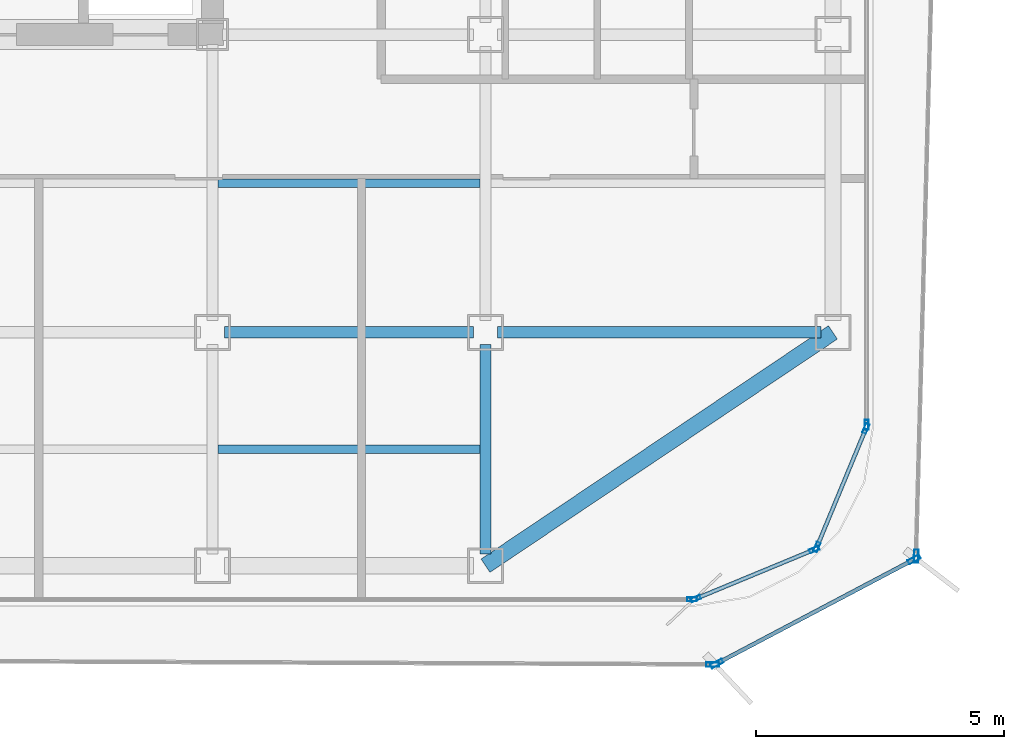
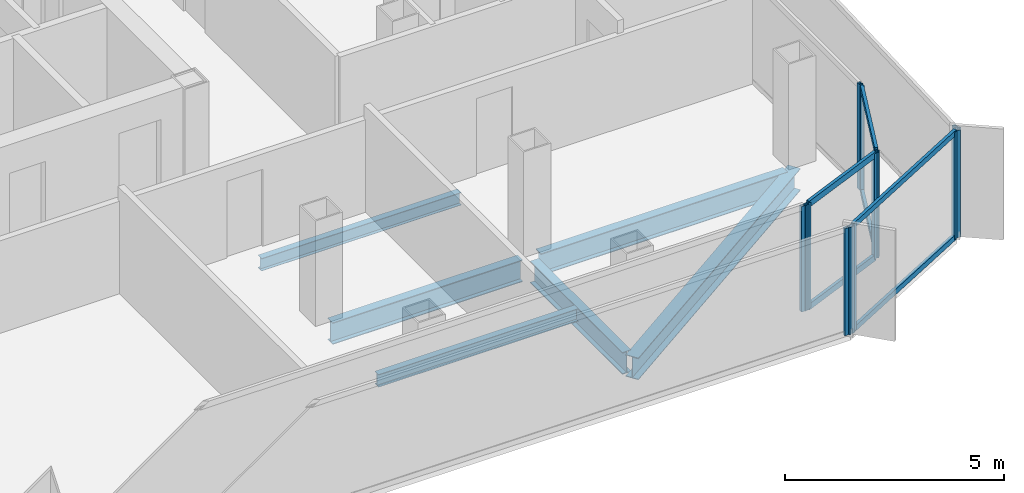
# One storey, part 4 of 15: 16 members, 6 beams, 7 elements without a shape of their own.
"""IFC4 building model written with IfcOpenShell, lengths in metres."""

from ifc_helpers import new_model, si_unit, direction, frame, origin, origin_2d, place, context, subcontext, project, spatial, hollow_rectangle, i_section, extrude, source, transform, mapped, material, layer, layer_set, material_profile, profile_set, type_object, element, aggregate, save


model = new_model("IFC4")

# Units and contexts
model_context = context("Model", 3, precision=1e-05, world=origin(), true_north=direction((0.0, 1.0)))
body_context = subcontext(model_context, "Body", "Model", "MODEL_VIEW")
ifc_project = project(units=[si_unit("LENGTHUNIT", "METRE"), si_unit("AREAUNIT", "SQUARE_METRE"), si_unit("VOLUMEUNIT", "CUBIC_METRE"), si_unit("PLANEANGLEUNIT", "RADIAN"), si_unit("MASSUNIT", "GRAM", prefix="KILO")], contexts=[model_context])

# Site, building, storey
site_placement = place(None, origin())
site = spatial("IfcSite", under=ifc_project, at=site_placement, CompositionType="ELEMENT")
building_placement = place(site_placement, origin())
building = spatial("IfcBuilding", under=site, at=building_placement, Name="Kolveth Station Tower", CompositionType="ELEMENT")
storey_placement = place(building_placement, frame((0.0, 0.0, 193.199951171875)))
storey = spatial("IfcBuildingStorey", under=building, at=storey_placement, Name="L54", CompositionType="ELEMENT", Elevation=193.199951171875)

# Beams
ifc_material_1 = material(Name="Steel S355", Category="steel")
ifc_material_profile_1 = material_profile(ifc_material_1, i_section(OverallWidth=0.323974609375, OverallDepth=0.611083984375, WebThickness=0.0126953125, FlangeThickness=0.01904296875, at=origin_2d()), Name="W610x155")
ifc_profile_set_1 = profile_set([ifc_material_profile_1], Name="Steel S355")
beam_type_1 = type_object("IfcBeamType", Name="Beam_SP2", PredefinedType="SPANDREL", material=ifc_profile_set_1)
shared_shape_1 = source(origin(), body_context, "Body", "SweptSolid", [
    extrude(i_section(OverallWidth=0.323974609375, OverallDepth=0.611083984375, WebThickness=0.0126953125, FlangeThickness=0.01904296875, at=origin_2d()), origin(), (0.0, 0.0, 1.0), 8.431396484375),
])
beam_1_placement = place(storey_placement, frame((34.0, 0.800048828125, -0.555419921875), z_axis=(0.830223811004, 0.557430196206, 0.0), x_axis=(-0.557430196206, 0.830223811004, 0.0)))
element("IfcBeam", 1, at=beam_1_placement, inside=storey, type_object=beam_type_1, Name="L54 Corner Edge Girder BM-L54-CNR-SE", PredefinedType="SPANDREL", context=body_context, shape_type="MappedRepresentation", body=[
    mapped(shared_shape_1, transform((0.0, 0.0, 0.0), x_axis=(1.0, 0.0, 0.0), y_axis=(0.0, 1.0, 0.0), z_axis=(0.0, 0.0, 1.0), scale=1.0)),
])
ifc_material_profile_2 = material_profile(ifc_material_1, i_section(OverallWidth=0.22900390625, OverallDepth=0.612060546875, WebThickness=0.011962890625, FlangeThickness=0.01953125, at=origin_2d()), Name="W610x125")
ifc_profile_set_2 = profile_set([ifc_material_profile_2], Name="Steel S355")
beam_type_2 = type_object("IfcBeamType", Name="Beam_B5", PredefinedType="BEAM", material=ifc_profile_set_2)
shared_shape_2 = source(origin(), body_context, "Body", "SweptSolid", [
    extrude(i_section(OverallWidth=0.22900390625, OverallDepth=0.612060546875, WebThickness=0.011962890625, FlangeThickness=0.01953125, at=origin_2d()), origin(), (0.0, 0.0, 1.0), 6.52001953125),
])
beam_2_placement = place(storey_placement, frame((34.239990234375, 5.5, -0.555908203125), z_axis=(1.0, 0.0, 0.0), x_axis=(0.0, 1.0, 0.0)))
element("IfcBeam", 2, at=beam_2_placement, inside=storey, type_object=beam_type_2, Name="L54 Primary Girder BM-L54-GY55-6", PredefinedType="BEAM", context=body_context, shape_type="MappedRepresentation", body=[
    mapped(shared_shape_2, transform((0.0, 0.0, 0.0), x_axis=(1.0, 0.0, 0.0), y_axis=(0.0, 1.0, 0.0), z_axis=(0.0, 0.0, 1.0), scale=1.0)),
])
shared_shape_3 = source(origin(), body_context, "Body", "SweptSolid", [
    extrude(i_section(OverallWidth=0.22900390625, OverallDepth=0.612060546875, WebThickness=0.011962890625, FlangeThickness=0.01953125, at=origin_2d()), origin(), (0.0, 0.0, 1.0), 5.02001953125),
])
beam_3_placement = place(storey_placement, frame((28.739990234375, 5.5, -0.555908203125), z_axis=(1.0, 0.0, 0.0), x_axis=(0.0, 1.0, 0.0)))
element("IfcBeam", 3, at=beam_3_placement, inside=storey, type_object=beam_type_2, Name="L54 Primary Girder BM-L54-GY55-5", PredefinedType="BEAM", context=body_context, shape_type="MappedRepresentation", body=[
    mapped(shared_shape_3, transform((0.0, 0.0, 0.0), x_axis=(1.0, 0.0, 0.0), y_axis=(0.0, 1.0, 0.0), z_axis=(0.0, 0.0, 1.0), scale=1.0)),
])
shared_shape_4 = source(origin(), body_context, "Body", "SweptSolid", [
    extrude(i_section(OverallWidth=0.22900390625, OverallDepth=0.612060546875, WebThickness=0.011962890625, FlangeThickness=0.01953125, at=origin_2d()), origin(), (0.0, 0.0, 1.0), 4.219970703125),
])
beam_4_placement = place(storey_placement, frame((34.0, 1.0400390625, -0.555908203125), z_axis=(0.0, 1.0, 0.0), x_axis=(-1.0, 0.0, 0.0)))
element("IfcBeam", 4, at=beam_4_placement, inside=storey, type_object=beam_type_2, Name="L54 Primary Girder BM-L54-GX340-1", PredefinedType="BEAM", context=body_context, shape_type="MappedRepresentation", body=[
    mapped(shared_shape_4, transform((0.0, 0.0, 0.0), x_axis=(1.0, 0.0, 0.0), y_axis=(0.0, 1.0, 0.0), z_axis=(0.0, 0.0, 1.0), scale=1.0)),
])
ifc_material_profile_3 = material_profile(ifc_material_1, i_section(OverallWidth=0.1708984375, OverallDepth=0.35205078125, WebThickness=0.0068359375, FlangeThickness=0.009765625, at=origin_2d()), Name="W360x44")
ifc_profile_set_3 = profile_set([ifc_material_profile_3], Name="Steel S355")
beam_type_3 = type_object("IfcBeamType", Name="Beam_J2", PredefinedType="JOIST", material=ifc_profile_set_3)
shared_shape_5 = source(origin(), body_context, "Body", "SweptSolid", [
    extrude(i_section(OverallWidth=0.1708984375, OverallDepth=0.35205078125, WebThickness=0.0068359375, FlangeThickness=0.009765625, at=origin_2d()), origin(), (0.0, 0.0, 1.0), 5.27490234375),
])
for number, where, z_axis, x_axis, name in (
    (5, (28.612548828125, 3.14990234375, -0.426025390625), (1.0, 0.0, 0.0), (0.0, 1.0, 0.0), "L54 Secondary Joist JST-L54-5-1"),
    (6, (28.612548828125, 8.5, -0.426025390625), (1.0, 0.0, 0.0), (0.0, 1.0, 0.0), "L54 Secondary Joist JST-L54-5-2"),
):
    element("IfcBeam", number, at=place(storey_placement, frame(where, z_axis=z_axis, x_axis=x_axis)), inside=storey, type_object=beam_type_3, Name=name, PredefinedType="JOIST", context=body_context, shape_type="MappedRepresentation", body=[
        mapped(shared_shape_5, transform((0.0, 0.0, 0.0), x_axis=(1.0, 0.0, 0.0), y_axis=(0.0, 1.0, 0.0), z_axis=(0.0, 0.0, 1.0), scale=1.0)),
    ])

# Curtain wall, members
ifc_material_2 = material(Name="Aluminium 6063-T6 and low-E dark glass", Category="aluminium")
ifc_layer_1 = layer(ifc_material_2, 0.18994140625)
ifc_layer_set_1 = layer_set([ifc_layer_1], Name="Aluminium 6063-T6 and low-E dark glass")
curtain_wall_type_1 = type_object("IfcCurtainWallType", Name="CurtainWall_CW-Z2", PredefinedType="NOTDEFINED", material=ifc_layer_set_1)
curtain_wall_1_placement = place(storey_placement, origin())
curtain_wall_1 = element("IfcCurtainWall", 7, at=curtain_wall_1_placement, inside=storey, type_object=curtain_wall_type_1, Name="L54 Inner Thermal Curtain Wall 1", PredefinedType="NOTDEFINED")
ifc_material_3 = material(Name="Black anodized aluminium 6063-T6", Category="aluminium")
ifc_material_profile_4 = material_profile(ifc_material_3, hollow_rectangle(XDim=0.080078125, YDim=0.199951171875, WallThickness=0.0048828125, at=origin_2d()), Name="ALU-80x200x5")
ifc_profile_set_4 = profile_set([ifc_material_profile_4], Name="Black anodized aluminium 6063-T6")
member_type_1 = type_object("IfcMemberType", Name="Mullion_ML2", PredefinedType="MULLION", material=ifc_profile_set_4)
shared_shape_6 = source(origin(), body_context, "Body", "SweptSolid", [
    extrude(hollow_rectangle(XDim=0.080078125, YDim=0.199951171875, WallThickness=0.0048828125, at=origin_2d()), origin(), (0.0, 0.0, 1.0), 2.949951171875),
])
member_1_placement = place(storey_placement, frame((38.237060546875, 0.13525390625, 0.0), z_axis=(0.0, 0.0, 1.0), x_axis=(-0.382697753087, 0.923873600544, 0.0)))
member_1 = element("IfcMember", 8, at=member_1_placement, type_object=member_type_1, Name="CW-Z2 mullion 1", PredefinedType="MULLION", context=body_context, shape_type="MappedRepresentation", body=[
    mapped(shared_shape_6, transform((0.0, 0.0, 0.0), x_axis=(1.0, 0.0, 0.0), y_axis=(0.0, 1.0, 0.0), z_axis=(0.0, 0.0, 1.0), scale=1.0)),
])
member_2_placement = place(storey_placement, frame((40.623779296875, 1.1240234375, 0.0), z_axis=(0.0, 0.0, 1.0), x_axis=(-0.382697753087, 0.923873600544, 0.0)))
member_2 = element("IfcMember", 9, at=member_2_placement, type_object=member_type_1, Name="CW-Z2 mullion 2", PredefinedType="MULLION", context=body_context, shape_type="MappedRepresentation", body=[
    mapped(shared_shape_6, transform((0.0, 0.0, 0.0), x_axis=(1.0, 0.0, 0.0), y_axis=(0.0, 1.0, 0.0), z_axis=(0.0, 0.0, 1.0), scale=1.0)),
])

curtain_wall_2_placement = place(storey_placement, origin())
curtain_wall_2 = element("IfcCurtainWall", 10, at=curtain_wall_2_placement, inside=storey, type_object=curtain_wall_type_1, Name="L54 Inner Thermal Curtain Wall 2", PredefinedType="NOTDEFINED")
member_3_placement = place(storey_placement, frame((40.676025390625, 1.17626953125, 0.0), z_axis=(0.0, 0.0, 1.0), x_axis=(-0.923873600544, 0.382697753087, 0.0)))
member_3 = element("IfcMember", 11, at=member_3_placement, type_object=member_type_1, Name="CW-Z2 mullion 1", PredefinedType="MULLION", context=body_context, shape_type="MappedRepresentation", body=[
    mapped(shared_shape_6, transform((0.0, 0.0, 0.0), x_axis=(1.0, 0.0, 0.0), y_axis=(0.0, 1.0, 0.0), z_axis=(0.0, 0.0, 1.0), scale=1.0)),
])
member_4_placement = place(storey_placement, frame((41.664794921875, 3.56298828125, 0.0), z_axis=(0.0, 0.0, 1.0), x_axis=(-0.923873600544, 0.382697753087, 0.0)))
member_4 = element("IfcMember", 12, at=member_4_placement, type_object=member_type_1, Name="CW-Z2 mullion 2", PredefinedType="MULLION", context=body_context, shape_type="MappedRepresentation", body=[
    mapped(shared_shape_6, transform((0.0, 0.0, 0.0), x_axis=(1.0, 0.0, 0.0), y_axis=(0.0, 1.0, 0.0), z_axis=(0.0, 0.0, 1.0), scale=1.0)),
])

# Curtain wall, member
curtain_wall_3_placement = place(storey_placement, origin())
curtain_wall_3 = element("IfcCurtainWall", 13, at=curtain_wall_3_placement, inside=storey, type_object=curtain_wall_type_1, Name="L54 Inner Thermal Curtain Wall 3", PredefinedType="NOTDEFINED")
member_5_placement = place(storey_placement, frame((41.679931640625, 3.639892578125, 0.0), z_axis=(0.0, 0.0, 1.0), x_axis=(-1.0, 0.0, 0.0)))
member_5 = element("IfcMember", 14, at=member_5_placement, type_object=member_type_1, Name="CW-Z2 mullion 1", PredefinedType="MULLION", context=body_context, shape_type="MappedRepresentation", body=[
    mapped(shared_shape_6, transform((0.0, 0.0, 0.0), x_axis=(1.0, 0.0, 0.0), y_axis=(0.0, 1.0, 0.0), z_axis=(0.0, 0.0, 1.0), scale=1.0)),
])
aggregate(curtain_wall_3, [member_5])

curtain_wall_4_placement = place(storey_placement, origin())
curtain_wall_4 = element("IfcCurtainWall", 15, at=curtain_wall_4_placement, inside=storey, type_object=curtain_wall_type_1, Name="L54 Inner Thermal Curtain Wall 12", PredefinedType="NOTDEFINED")
member_6_placement = place(storey_placement, frame((38.159912109375, 0.1201171875, 0.0), z_axis=(0.0, 0.0, 1.0), x_axis=(0.0, 1.0, 0.0)))
member_6 = element("IfcMember", 16, at=member_6_placement, type_object=member_type_1, Name="CW-Z2 mullion 2", PredefinedType="MULLION", context=body_context, shape_type="MappedRepresentation", body=[
    mapped(shared_shape_6, transform((0.0, 0.0, 0.0), x_axis=(1.0, 0.0, 0.0), y_axis=(0.0, 1.0, 0.0), z_axis=(0.0, 0.0, 1.0), scale=1.0)),
])
aggregate(curtain_wall_4, [member_6])

# Curtain wall, members
ifc_material_4 = material(Name="Black anodized aluminium 6063-T6 and dark solar glass", Category="aluminium")
ifc_layer_2 = layer(ifc_material_4, 0.159912109375)
ifc_layer_set_2 = layer_set([ifc_layer_2], Name="Black anodized aluminium 6063-T6 and dark solar glass")
curtain_wall_type_2 = type_object("IfcCurtainWallType", Name="OUTER SKIN CW-OS", PredefinedType="NOTDEFINED", material=ifc_layer_set_2)
curtain_wall_5_placement = place(storey_placement, origin())
curtain_wall_5 = element("IfcCurtainWall", 17, at=curtain_wall_5_placement, inside=storey, type_object=curtain_wall_type_2, Name="L54 Outer Ventilated Skin Curtain Wall 1", PredefinedType="NOTDEFINED")
ifc_material_profile_5 = material_profile(ifc_material_3, hollow_rectangle(XDim=0.090087890625, YDim=0.260009765625, WallThickness=0.0048828125, at=origin_2d()), Name="ALU-90x260x5")
ifc_profile_set_5 = profile_set([ifc_material_profile_5], Name="Black anodized aluminium 6063-T6")
member_type_2 = type_object("IfcMemberType", Name="FIN MULLION ML-OS", PredefinedType="MULLION", material=ifc_profile_set_5)
shared_shape_7 = source(origin(), body_context, "Body", "SweptSolid", [
    extrude(hollow_rectangle(XDim=0.090087890625, YDim=0.260009765625, WallThickness=0.0048828125, at=origin_2d()), origin(), (0.0, 0.0, 1.0), 2.989990234375),
])
member_7_placement = place(storey_placement, frame((38.661865234375, -1.170166015625, 0.0), z_axis=(0.0, 0.0, 1.0), x_axis=(-0.466793696347, 0.884366239208, 0.0)))
member_7 = element("IfcMember", 18, at=member_7_placement, type_object=member_type_2, Name="CW-OS mullion 1", PredefinedType="MULLION", context=body_context, shape_type="MappedRepresentation", body=[
    mapped(shared_shape_7, transform((0.0, 0.0, 0.0), x_axis=(1.0, 0.0, 0.0), y_axis=(0.0, 1.0, 0.0), z_axis=(0.0, 0.0, 1.0), scale=1.0)),
])
member_8_placement = place(storey_placement, frame((42.635498046875, 0.927490234375, 0.0), z_axis=(0.0, 0.0, 1.0), x_axis=(-0.466793696347, 0.884366239208, 0.0)))
member_8 = element("IfcMember", 19, at=member_8_placement, type_object=member_type_2, Name="CW-OS mullion 2", PredefinedType="MULLION", context=body_context, shape_type="MappedRepresentation", body=[
    mapped(shared_shape_7, transform((0.0, 0.0, 0.0), x_axis=(1.0, 0.0, 0.0), y_axis=(0.0, 1.0, 0.0), z_axis=(0.0, 0.0, 1.0), scale=1.0)),
])

# Curtain wall, member
curtain_wall_6_placement = place(storey_placement, origin())
curtain_wall_6 = element("IfcCurtainWall", 20, at=curtain_wall_6_placement, inside=storey, type_object=curtain_wall_type_2, Name="L54 Outer Ventilated Skin Curtain Wall 2", PredefinedType="NOTDEFINED")
member_9_placement = place(storey_placement, frame((42.676513671875, 0.993408203125, 0.0), z_axis=(0.0, 0.0, 1.0), x_axis=(-0.999636903234, 0.026945531966, 0.0)))
member_9 = element("IfcMember", 21, at=member_9_placement, type_object=member_type_2, Name="CW-OS mullion 1", PredefinedType="MULLION", context=body_context, shape_type="MappedRepresentation", body=[
    mapped(shared_shape_7, transform((0.0, 0.0, 0.0), x_axis=(1.0, 0.0, 0.0), y_axis=(0.0, 1.0, 0.0), z_axis=(0.0, 0.0, 1.0), scale=1.0)),
])
aggregate(curtain_wall_6, [member_9])

curtain_wall_7_placement = place(storey_placement, origin())
curtain_wall_7 = element("IfcCurtainWall", 22, at=curtain_wall_7_placement, inside=storey, type_object=curtain_wall_type_2, Name="L54 Outer Ventilated Skin Curtain Wall 8", PredefinedType="NOTDEFINED")
member_10_placement = place(storey_placement, frame((38.576904296875, -1.19091796875, 0.0), z_axis=(0.0, 0.0, 1.0), x_axis=(0.004304120821, 0.999990737229, 0.0)))
member_10 = element("IfcMember", 23, at=member_10_placement, type_object=member_type_2, Name="CW-OS mullion 2", PredefinedType="MULLION", context=body_context, shape_type="MappedRepresentation", body=[
    mapped(shared_shape_7, transform((0.0, 0.0, 0.0), x_axis=(1.0, 0.0, 0.0), y_axis=(0.0, 1.0, 0.0), z_axis=(0.0, 0.0, 1.0), scale=1.0)),
])
aggregate(curtain_wall_7, [member_10])

# Member
ifc_material_profile_6 = material_profile(ifc_material_3, hollow_rectangle(XDim=0.080078125, YDim=0.169921875, WallThickness=0.0048828125, at=origin_2d()), Name="ALU-80x170x5")
ifc_profile_set_6 = profile_set([ifc_material_profile_6], Name="Black anodized aluminium 6063-T6")
member_type_3 = type_object("IfcMemberType", Name="Transom_TR2", PredefinedType="USERDEFINED", material=ifc_profile_set_6)
shared_shape_8 = source(origin(), body_context, "Body", "SweptSolid", [
    extrude(hollow_rectangle(XDim=0.080078125, YDim=0.169921875, WallThickness=0.0048828125, at=origin_2d()), origin(), (0.0, 0.0, 1.0), 2.50341796875),
])
member_11_placement = place(storey_placement, frame((38.27392578125, 0.150634765625, 0.0400390625), z_axis=(0.923874190494, 0.382696328882, 0.0), x_axis=(-0.382696328882, 0.923874190494, 0.0)))
member_11 = element("IfcMember", 24, at=member_11_placement, type_object=member_type_3, Name="CW-Z2 transom 1.1", ObjectType="TRANSOM", PredefinedType="USERDEFINED", context=body_context, shape_type="MappedRepresentation", body=[
    mapped(shared_shape_8, transform((0.0, 0.0, 0.0), x_axis=(1.0, 0.0, 0.0), y_axis=(0.0, 1.0, 0.0), z_axis=(0.0, 0.0, 1.0), scale=1.0)),
])

member_12_placement = place(storey_placement, frame((38.27392578125, 0.150634765625, 2.91015625), z_axis=(0.923874190494, 0.382696328882, 0.0), x_axis=(-0.382696328882, 0.923874190494, 0.0)))
member_12 = element("IfcMember", 25, at=member_12_placement, type_object=member_type_3, Name="CW-Z2 transom 1.2", ObjectType="TRANSOM", PredefinedType="USERDEFINED", context=body_context, shape_type="MappedRepresentation", body=[
    mapped(shared_shape_8, transform((0.0, 0.0, 0.0), x_axis=(1.0, 0.0, 0.0), y_axis=(0.0, 1.0, 0.0), z_axis=(0.0, 0.0, 1.0), scale=1.0)),
])

aggregate(curtain_wall_1, [member_1, member_2, member_11, member_12])

member_13_placement = place(storey_placement, frame((40.69140625, 1.213134765625, 0.0400390625), z_axis=(0.382661849723, 0.923888472039, 0.0), x_axis=(-0.923888472039, 0.382661849723, 0.0)))
member_13 = element("IfcMember", 26, at=member_13_placement, type_object=member_type_3, Name="CW-Z2 transom 1.1", ObjectType="TRANSOM", PredefinedType="USERDEFINED", context=body_context, shape_type="MappedRepresentation", body=[
    mapped(shared_shape_8, transform((0.0, 0.0, 0.0), x_axis=(1.0, 0.0, 0.0), y_axis=(0.0, 1.0, 0.0), z_axis=(0.0, 0.0, 1.0), scale=1.0)),
])

member_14_placement = place(storey_placement, frame((40.69140625, 1.213134765625, 2.91015625), z_axis=(0.382661849723, 0.923888472039, 0.0), x_axis=(-0.923888472039, 0.382661849723, 0.0)))
member_14 = element("IfcMember", 27, at=member_14_placement, type_object=member_type_3, Name="CW-Z2 transom 1.2", ObjectType="TRANSOM", PredefinedType="USERDEFINED", context=body_context, shape_type="MappedRepresentation", body=[
    mapped(shared_shape_8, transform((0.0, 0.0, 0.0), x_axis=(1.0, 0.0, 0.0), y_axis=(0.0, 1.0, 0.0), z_axis=(0.0, 0.0, 1.0), scale=1.0)),
])

aggregate(curtain_wall_2, [member_3, member_4, member_13, member_14])

ifc_material_profile_7 = material_profile(ifc_material_3, hollow_rectangle(XDim=0.080078125, YDim=0.14990234375, WallThickness=0.0048828125, at=origin_2d()), Name="ALU-80x150x5")
ifc_profile_set_7 = profile_set([ifc_material_profile_7], Name="Black anodized aluminium 6063-T6")
member_type_4 = type_object("IfcMemberType", Name="Transom_TR-OS", PredefinedType="USERDEFINED", material=ifc_profile_set_7)
shared_shape_9 = source(origin(), body_context, "Body", "SweptSolid", [
    extrude(hollow_rectangle(XDim=0.080078125, YDim=0.14990234375, WallThickness=0.0048828125, at=origin_2d()), origin(), (0.0, 0.0, 1.0), 4.4033203125),
])
member_15_placement = place(storey_placement, frame((38.70166015625, -1.149169921875, 0.0400390625), z_axis=(0.884340245976, 0.466842938628, 0.0), x_axis=(-0.466842938628, 0.884340245976, 0.0)))
member_15 = element("IfcMember", 28, at=member_15_placement, type_object=member_type_4, Name="CW-OS transom 1.1", ObjectType="TRANSOM", PredefinedType="USERDEFINED", context=body_context, shape_type="MappedRepresentation", body=[
    mapped(shared_shape_9, transform((0.0, 0.0, 0.0), x_axis=(1.0, 0.0, 0.0), y_axis=(0.0, 1.0, 0.0), z_axis=(0.0, 0.0, 1.0), scale=1.0)),
])

member_16_placement = place(storey_placement, frame((38.70166015625, -1.149169921875, 2.949951171875), z_axis=(0.884340245976, 0.466842938628, 0.0), x_axis=(-0.466842938628, 0.884340245976, 0.0)))
member_16 = element("IfcMember", 29, at=member_16_placement, type_object=member_type_4, Name="CW-OS transom 1.2", ObjectType="TRANSOM", PredefinedType="USERDEFINED", context=body_context, shape_type="MappedRepresentation", body=[
    mapped(shared_shape_9, transform((0.0, 0.0, 0.0), x_axis=(1.0, 0.0, 0.0), y_axis=(0.0, 1.0, 0.0), z_axis=(0.0, 0.0, 1.0), scale=1.0)),
])

aggregate(curtain_wall_5, [member_7, member_8, member_15, member_16])

save(model, "model.ifc")
